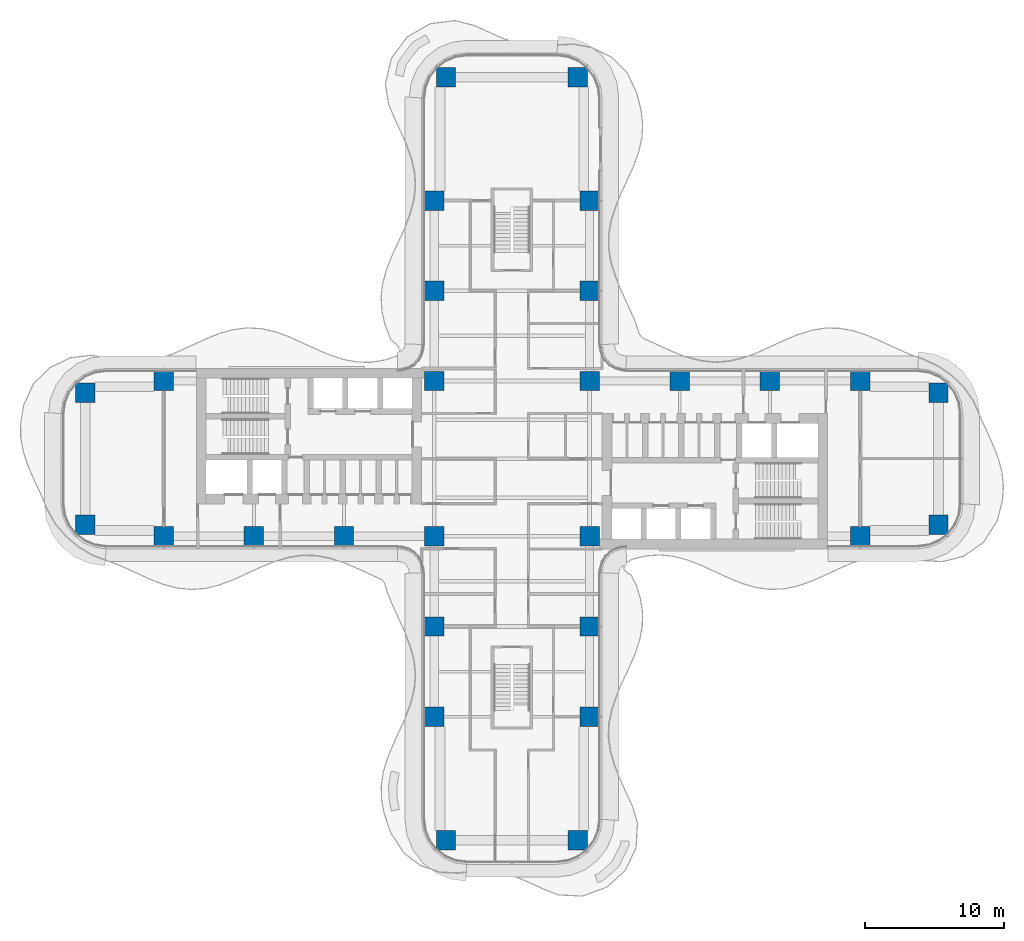
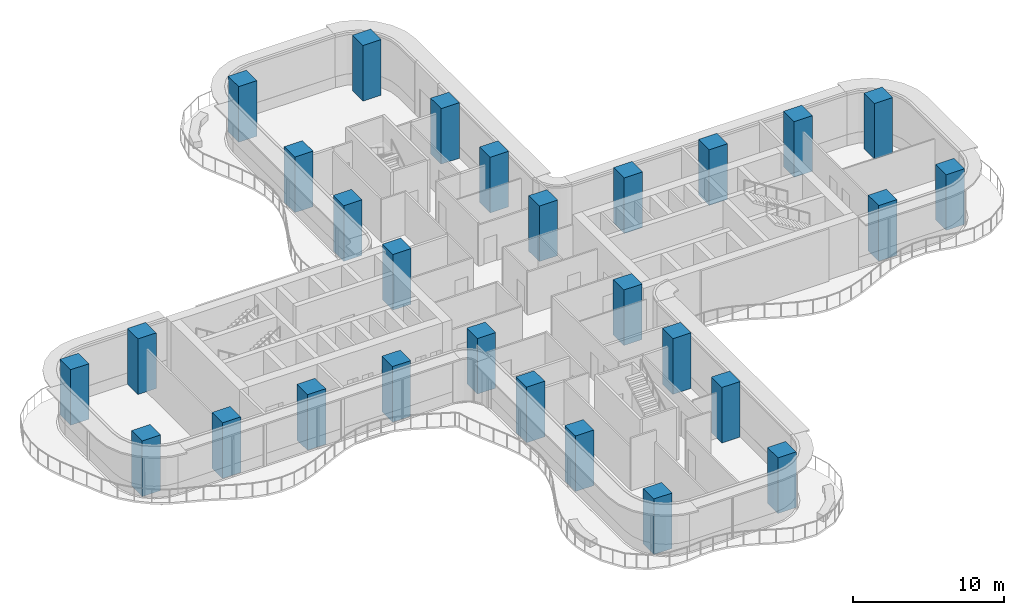
# One storey, part 1 of 22: 28 columns.
"""IFC4 building model written with IfcOpenShell, lengths in metres."""

import ifcopenshell
import ifcopenshell.guid

model = None  # the IFC model being written
_history = None  # IfcOwnerHistory: only IFC2X3 demands one
_inside = {}  # id of a spatial element -> (the spatial element, [elements in it])
_under = {}  # id of a project, library or spatial element -> (it, [spatial elements below it])
_declared = {}  # id of a project -> (the project, [libraries it declares])
_typed = {}  # id of a type object -> (the type object, [elements of that type])
_made_of = {}  # id of a material, layer set ... -> (it, [elements and type objects made of it])


def new_model(schema):
    """Start an empty IFC model of exactly this schema.

    Asked for "IFC4X3", IfcOpenShell would pick the latest addendum, in which some entities
    have other attributes; the version numbers below select the first issue.
    IFC2X3 requires an IfcOwnerHistory on every rooted entity: one is made here for all.
    """
    global model, _history
    if schema == "IFC4X3":
        model = ifcopenshell.file(schema_version=(4, 3, 0, 0))
    else:
        model = ifcopenshell.file(schema=schema)
    _inside.clear()
    _under.clear()
    _declared.clear()
    _typed.clear()
    _made_of.clear()
    _history = None
    if model.schema == "IFC2X3":
        org = make("IfcOrganization", Name="unknown")
        user = make(
            "IfcPersonAndOrganization",
            ThePerson=make("IfcPerson", FamilyName="unknown"),
            TheOrganization=org,
        )
        app = make(
            "IfcApplication",
            ApplicationDeveloper=org,
            Version="unknown",
            ApplicationFullName="unknown",
            ApplicationIdentifier="unknown",
        )
        _history = make(
            "IfcOwnerHistory",
            OwningUser=user,
            OwningApplication=app,
            ChangeAction="ADDED",
            CreationDate=0,
        )
    return model


def make(cls, **values):
    """One entity of the class cls with the attributes given. An attribute that is None is left unset."""
    return model.create_entity(
        cls, **{name: value for name, value in values.items() if value is not None}
    )


def rooted(cls, **values):
    """An entity with a GlobalId (a new one), such as an element, a storey or a relation."""
    return make(cls, GlobalId=ifcopenshell.guid.new(), OwnerHistory=_history, **values)


def si_unit(unit_type, name, prefix=None):
    """IfcSIUnit, for example si_unit("LENGTHUNIT", "METRE", prefix="MILLI")."""
    return make("IfcSIUnit", UnitType=unit_type, Prefix=prefix, Name=name)


def assignment(units):
    """IfcUnitAssignment: the units of a project."""
    return None if units is None else make("IfcUnitAssignment", Units=units)


def point(xyz):
    """IfcCartesianPoint."""
    return None if xyz is None else make("IfcCartesianPoint", Coordinates=xyz)


def direction(xyz):
    """IfcDirection."""
    return None if xyz is None else make("IfcDirection", DirectionRatios=xyz)


def frame(location, z_axis=None, x_axis=None):
    """IfcAxis2Placement3D, a coordinate frame: its origin and axes. An axis left out is left unset."""
    return make(
        "IfcAxis2Placement3D",
        Location=point(location),
        Axis=direction(z_axis),
        RefDirection=direction(x_axis),
    )


def frame_2d(location, x_axis=None):
    """IfcAxis2Placement2D, a coordinate frame in the plane: its origin and x axis."""
    return make(
        "IfcAxis2Placement2D", Location=point(location), RefDirection=direction(x_axis)
    )


def origin():
    """The frame at (0, 0, 0) with its axes left unset."""
    return frame((0.0, 0.0, 0.0))


def origin_2d():
    """The frame at (0, 0) in the plane with its x axis left unset."""
    return frame_2d((0.0, 0.0))


def place(relative_to, where):
    """IfcLocalPlacement: puts the frame where relative to a parent placement (None: the world)."""
    return make(
        "IfcLocalPlacement", PlacementRelTo=relative_to, RelativePlacement=where
    )


def context(
    kind, dimensions, precision=None, world=None, true_north=None, identifier=None
):
    """IfcGeometricRepresentationContext, for example the 3D "Model" context."""
    return make(
        "IfcGeometricRepresentationContext",
        ContextIdentifier=identifier,
        ContextType=kind,
        CoordinateSpaceDimension=dimensions,
        Precision=precision,
        WorldCoordinateSystem=world,
        TrueNorth=true_north,
    )


def subcontext(parent, identifier, kind, view, scale=None):
    """IfcGeometricRepresentationSubContext, for example "Body" below "Model"."""
    return make(
        "IfcGeometricRepresentationSubContext",
        ContextIdentifier=identifier,
        ContextType=kind,
        ParentContext=parent,
        TargetScale=scale,
        TargetView=view,
    )


def project(units=None, contexts=None):
    """IfcProject with its units and contexts."""
    return rooted(
        "IfcProject",
        Name="project",
        RepresentationContexts=contexts,
        UnitsInContext=assignment(units),
    )


def spatial(cls, under=None, at=None, **own):
    """A site, building, storey or space (cls), placed at a placement, below another one or the project."""
    s = rooted(cls, ObjectPlacement=at, **own)
    if under is not None:
        _under.setdefault(under.id(), (under, []))[1].append(s)
    return s


def profile(cls, at=None, kind="AREA", **sizes):
    """A parametric profile (cls). Its sizes go by their IFC names, for example OverallWidth=200.0."""
    return make(cls, ProfileType=kind, Position=at, **sizes)


def rectangle(**sizes):
    """IfcRectangleProfileDef."""
    return profile("IfcRectangleProfileDef", **sizes)


def extrude(swept, where, along, depth):
    """IfcExtrudedAreaSolid: the profile swept, set in the frame where, extruded along a direction by depth."""
    return make(
        "IfcExtrudedAreaSolid",
        SweptArea=swept,
        Position=where,
        ExtrudedDirection=direction(along),
        Depth=depth,
    )


def shape(context_of_items, identifier, shape_type, items):
    """IfcShapeRepresentation: the items that make up one representation, for example the "Body"."""
    return make(
        "IfcShapeRepresentation",
        ContextOfItems=context_of_items,
        RepresentationIdentifier=identifier,
        RepresentationType=shape_type,
        Items=items,
    )


def source(mapping_origin, context_of_items, identifier, shape_type, items):
    """IfcRepresentationMap: a shape defined once, which mapped items show again and again."""
    return make(
        "IfcRepresentationMap",
        MappingOrigin=mapping_origin,
        MappedRepresentation=shape(context_of_items, identifier, shape_type, items),
    )


def transform(
    local_origin,
    x_axis=None,
    y_axis=None,
    z_axis=None,
    scale=None,
    scale2=None,
    scale3=None,
    uniform=True,
):
    """IfcCartesianTransformationOperator3D, or its non-uniform kind. x_axis, y_axis, z_axis: its Axis1, 2, 3."""
    if uniform:
        return make(
            "IfcCartesianTransformationOperator3D",
            Axis1=direction(x_axis),
            Axis2=direction(y_axis),
            LocalOrigin=point(local_origin),
            Scale=scale,
            Axis3=direction(z_axis),
        )
    return make(
        "IfcCartesianTransformationOperator3DnonUniform",
        Axis1=direction(x_axis),
        Axis2=direction(y_axis),
        LocalOrigin=point(local_origin),
        Scale=scale,
        Axis3=direction(z_axis),
        Scale2=scale2,
        Scale3=scale3,
    )


def mapped(mapping_source, mapping_target):
    """IfcMappedItem: shows the shape of a source again, moved by a transform."""
    return make(
        "IfcMappedItem", MappingSource=mapping_source, MappingTarget=mapping_target
    )


def material(Name=None, Category=None):
    """IfcMaterial."""
    return make("IfcMaterial", Name=Name, Category=Category)


def material_profile(
    of_material, cross_section, Name=None, Category=None, Priority=None
):
    """IfcMaterialProfile: a cross section and its material."""
    return make(
        "IfcMaterialProfile",
        Name=Name,
        Material=of_material,
        Profile=cross_section,
        Priority=Priority,
        Category=Category,
    )


def profile_set(profiles, Name=None, composite=None):
    """IfcMaterialProfileSet."""
    return make(
        "IfcMaterialProfileSet",
        Name=Name,
        MaterialProfiles=profiles,
        CompositeProfile=composite,
    )


def made_of(thing, what):
    """Note that an element or type object is made of a material, layer set ...; save() writes the relation."""
    if what is not None:
        _made_of.setdefault(what.id(), (what, []))[1].append(thing)
    return thing


def type_object(cls, material=None, **own):
    """A type object (cls), such as IfcWallType, which elements share."""
    return made_of(rooted(cls, **own), material)


def element(
    cls,
    number,
    at=None,
    inside=None,
    cuts=None,
    type_object=None,
    material=None,
    context=None,
    identifier="Body",
    shape_type=None,
    held_by="IfcProductDefinitionShape",
    body=None,
    shapes=None,
    **own,
):
    """One element of the class cls, such as IfcWall. Its Tag is "e" and its number.

    at: its placement. inside: the storey or other place that contains it. cuts: it is an
    opening in that element (IfcRelVoidsElement). A single representation is given by context,
    identifier, shape_type and body (its items); several are given by shapes. held_by: the class
    of the entity that holds the representations. save() writes the other relations.
    """
    e = rooted(cls, Tag="e%d" % number, ObjectPlacement=at, **own)
    if body is not None:
        shapes = [shape(context, identifier, shape_type, body)]
    if shapes is not None:
        e.Representation = make(held_by, Representations=shapes)
    if inside is not None:
        _inside.setdefault(inside.id(), (inside, []))[1].append(e)
    if cuts is not None:
        rooted(
            "IfcRelVoidsElement", RelatingBuildingElement=cuts, RelatedOpeningElement=e
        )
    if type_object is not None:
        _typed.setdefault(type_object.id(), (type_object, []))[1].append(e)
    return made_of(e, material)


def aggregate(whole, parts):
    """IfcRelAggregates: a whole, such as a stair, and the parts it consists of."""
    return rooted("IfcRelAggregates", RelatingObject=whole, RelatedObjects=parts)


def save(model, path):
    """Write the relations noted so far, then the file.

    IfcRelAggregates (storeys below a building ...), IfcRelContainedInSpatialStructure (elements
    in a storey), IfcRelDefinesByType, IfcRelAssociatesMaterial and IfcRelDeclares: one each for
    every whole, place, type object, material and project.
    """
    for whole, parts in _under.values():
        aggregate(whole, parts)
    for where, things in _inside.values():
        rooted(
            "IfcRelContainedInSpatialStructure",
            RelatedElements=things,
            RelatingStructure=where,
        )
    for kind, things in _typed.values():
        rooted("IfcRelDefinesByType", RelatedObjects=things, RelatingType=kind)
    for what, things in _made_of.values():
        rooted("IfcRelAssociatesMaterial", RelatedObjects=things, RelatingMaterial=what)
    for by, libraries in _declared.values():
        rooted("IfcRelDeclares", RelatingContext=by, RelatedDefinitions=libraries)
    model.write(path)


model = new_model("IFC4")

# Units and contexts
model_context = context("Model", 3, precision=1e-05, world=origin(), true_north=direction((0.0, 1.0)))
body_context = subcontext(model_context, "Body", "Model", "MODEL_VIEW")
ifc_project = project(units=[si_unit("LENGTHUNIT", "METRE"), si_unit("AREAUNIT", "SQUARE_METRE"), si_unit("VOLUMEUNIT", "CUBIC_METRE"), si_unit("PLANEANGLEUNIT", "RADIAN"), si_unit("MASSUNIT", "GRAM", prefix="KILO")], contexts=[model_context])

# Site, building, storey
site_placement = place(None, origin())
site = spatial("IfcSite", under=ifc_project, at=site_placement, CompositionType="ELEMENT")
building_placement = place(site_placement, origin())
building = spatial("IfcBuilding", under=site, at=building_placement, Name="Trellis Farm Tower", CompositionType="ELEMENT")
storey_placement = place(building_placement, frame((0.0, 0.0, 47.5)))
storey = spatial("IfcBuildingStorey", under=building, at=storey_placement, Name="L09", CompositionType="ELEMENT", Elevation=47.5)

# Columns
ifc_material = material(Name="Concrete C80/95", Category="concrete")
ifc_material_profile = material_profile(ifc_material, rectangle(XDim=1.39990234375, YDim=1.39990234375, at=origin_2d()), Name="RC column 1400x1400 C80/95")
ifc_profile_set = profile_set([ifc_material_profile], Name="Concrete C80/95")
column_type = type_object("IfcColumnType", Name="RC column 1400x1400 C80/95", PredefinedType="COLUMN", material=ifc_profile_set)
shared_shape = source(origin(), body_context, "Body", "SweptSolid", [
    extrude(rectangle(XDim=1.39990234375, YDim=1.39990234375, at=origin_2d()), origin(), (0.0, 0.0, 1.0), 4.5),
])
for number, where, z_axis, x_axis, name in (
    (1, (12.10009765625, 5.60009765625, 0.0), (0.0, 0.0, 1.0), (1.0, 0.0, 0.0), "Column"),
    (2, (18.60009765625, 5.60009765625, 0.0), (0.0, 0.0, 1.0), (1.0, 0.0, 0.0), "Column"),
    (3, (25.10009765625, 5.60009765625, 0.0), (0.0, 0.0, 1.0), (1.0, 0.0, 0.0), "Column"),
    (4, (30.75, 4.75, 0.0), (0.0, 0.0, 1.0), (1.0, 0.0, 0.0), "Column"),
    (5, (25.10009765625, -5.60009765625, 0.0), (0.0, 0.0, 1.0), (1.0, 0.0, 0.0), "Column"),
    (6, (30.75, -4.75, 0.0), (0.0, 0.0, 1.0), (1.0, 0.0, 0.0), "Column"),
    (7, (-5.60009765625, 12.10009765625, 0.0), (0.0, 0.0, 1.0), (1.0, 0.0, 0.0), "Column"),
    (8, (-5.60009765625, 18.60009765625, 0.0), (0.0, 0.0, 1.0), (1.0, 0.0, 0.0), "Column"),
    (9, (-4.75, 27.5, 0.0), (0.0, 0.0, 1.0), (1.0, 0.0, 0.0), "Column"),
    (10, (5.60009765625, 12.10009765625, 0.0), (0.0, 0.0, 1.0), (1.0, 0.0, 0.0), "Column"),
    (11, (5.60009765625, 18.60009765625, 0.0), (0.0, 0.0, 1.0), (1.0, 0.0, 0.0), "Column"),
    (12, (4.75, 27.5, 0.0), (0.0, 0.0, 1.0), (1.0, 0.0, 0.0), "Column"),
    (13, (5.60009765625, 5.60009765625, 0.0), (0.0, 0.0, 1.0), (1.0, 0.0, 0.0), "Column"),
    (14, (-5.60009765625, 5.60009765625, 0.0), (0.0, 0.0, 1.0), (1.0, 0.0, 0.0), "Column"),
    (15, (5.60009765625, -5.60009765625, 0.0), (0.0, 0.0, 1.0), (1.0, 0.0, 0.0), "Column"),
    (16, (-5.60009765625, -5.60009765625, 0.0), (0.0, 0.0, 1.0), (1.0, 0.0, 0.0), "Column"),
    (17, (5.60009765625, -12.10009765625, 0.0), (0.0, 0.0, 1.0), (1.0, 0.0, 0.0), "Column"),
    (18, (5.60009765625, -18.60009765625, 0.0), (0.0, 0.0, 1.0), (1.0, 0.0, 0.0), "Column"),
    (19, (4.75, -27.5, 0.0), (0.0, 0.0, 1.0), (1.0, 0.0, 0.0), "Column"),
    (20, (-5.60009765625, -12.10009765625, 0.0), (0.0, 0.0, 1.0), (1.0, 0.0, 0.0), "Column"),
    (21, (-5.60009765625, -18.60009765625, 0.0), (0.0, 0.0, 1.0), (1.0, 0.0, 0.0), "Column"),
    (22, (-4.75, -27.5, 0.0), (0.0, 0.0, 1.0), (1.0, 0.0, 0.0), "Column"),
    (23, (-12.10009765625, -5.60009765625, 0.0), (0.0, 0.0, 1.0), (1.0, 0.0, 0.0), "Column"),
    (24, (-18.60009765625, -5.60009765625, 0.0), (0.0, 0.0, 1.0), (1.0, 0.0, 0.0), "Column"),
    (25, (-25.10009765625, -5.60009765625, 0.0), (0.0, 0.0, 1.0), (1.0, 0.0, 0.0), "Column"),
    (26, (-30.75, -4.75, 0.0), (0.0, 0.0, 1.0), (1.0, 0.0, 0.0), "Column"),
    (27, (-25.10009765625, 5.60009765625, 0.0), (0.0, 0.0, 1.0), (1.0, 0.0, 0.0), "Column"),
    (28, (-30.75, 4.75, 0.0), (0.0, 0.0, 1.0), (1.0, 0.0, 0.0), "Column"),
):
    element("IfcColumn", number, at=place(storey_placement, frame(where, z_axis=z_axis, x_axis=x_axis)), inside=storey, type_object=column_type, Name=name, PredefinedType="COLUMN", context=body_context, shape_type="MappedRepresentation", body=[
        mapped(shared_shape, transform((0.0, 0.0, 0.0))),
    ])

save(model, "model.ifc")
